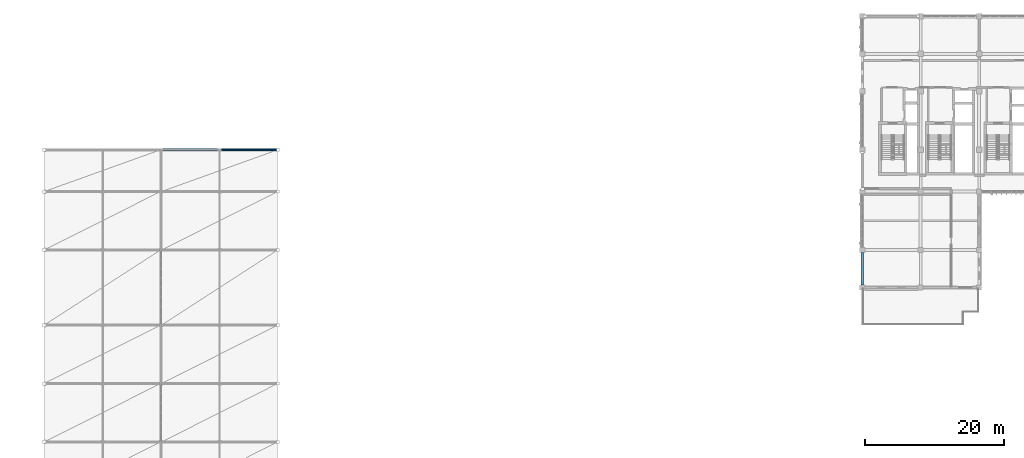
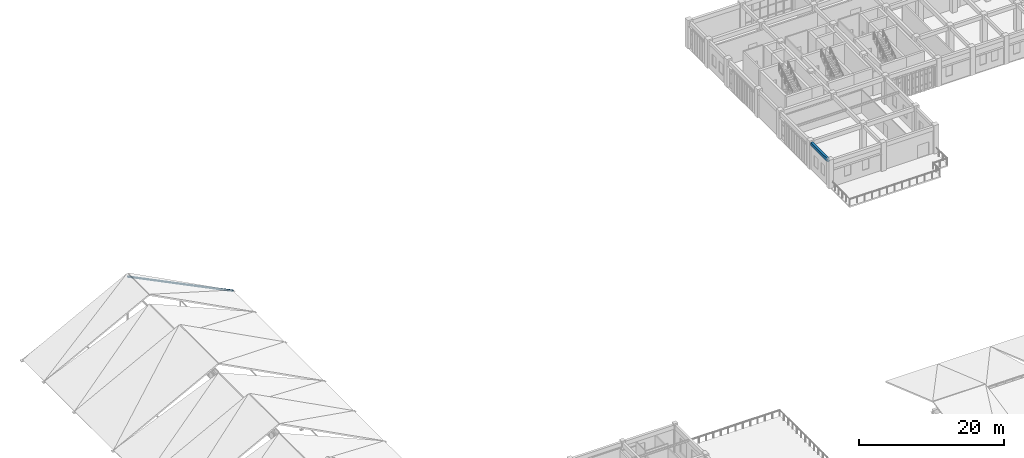
# One storey, part 39 of 76: 1 beam, 1 member.
"""IFC4 building model written with IfcOpenShell, lengths in metres."""

from ifc_helpers import new_model, si_unit, direction, frame, origin, origin_2d, place, context, subcontext, project, spatial, rectangle, hollow_circle, extrude, material, material_profile, profile_set, type_object, element, save


model = new_model("IFC4")

# Units and contexts
model_context = context("Model", 3, precision=1e-05, world=origin(), true_north=direction((0.0, 1.0)))
body_context = subcontext(model_context, "Body", "Model", "MODEL_VIEW")
ifc_project = project(units=[si_unit("LENGTHUNIT", "METRE"), si_unit("AREAUNIT", "SQUARE_METRE"), si_unit("VOLUMEUNIT", "CUBIC_METRE"), si_unit("PLANEANGLEUNIT", "RADIAN"), si_unit("MASSUNIT", "GRAM", prefix="KILO")], contexts=[model_context])

# Site, building, storey
site_placement = place(None, origin())
site = spatial("IfcSite", under=ifc_project, at=site_placement, CompositionType="ELEMENT")
building_placement = place(site_placement, origin())
building = spatial("IfcBuilding", under=site, at=building_placement, Name="Krzemoval Escarpment Law Courts", CompositionType="ELEMENT")
storey_placement = place(building_placement, frame((0.0, 0.0, 20.39990234375)))
storey = spatial("IfcBuildingStorey", under=building, at=storey_placement, Name="L04", CompositionType="ELEMENT", Elevation=20.39990234375)

# Beam
ifc_material_1 = material(Name="Concrete C40/50", Category="concrete")
ifc_material_profile_1 = material_profile(ifc_material_1, rectangle(XDim=0.35009765625, YDim=0.550048828125, at=origin_2d()), Name="RCB 350x550")
ifc_profile_set_1 = profile_set([ifc_material_profile_1], Name="Concrete C40/50")
beam_type = type_object("IfcBeamType", Name="BM-RC-350x550", PredefinedType="BEAM", material=ifc_profile_set_1)
beam_placement = place(storey_placement, frame((126.0, 80.175048828125, 4.275146484375), z_axis=(0.0, 1.0, 0.0), x_axis=(-1.0, 0.0, 0.0)))
element("IfcBeam", 1, at=beam_placement, inside=storey, type_object=beam_type, Name="Beam FG-L04-2506", PredefinedType="BEAM", context=body_context, shape_type="SweptSolid", body=[
    extrude(rectangle(XDim=0.35009765625, YDim=0.550048828125, at=origin_2d()), origin(), (0.0, 0.0, 1.0), 4.64990234375),
])

# Member
ifc_material_2 = material(Name="Steel S355", Category="steel")
ifc_material_profile_2 = material_profile(ifc_material_2, hollow_circle(Radius=0.161865234375, WallThickness=0.01611328125, at=origin_2d()), Name="CHS 323.9x16")
ifc_profile_set_2 = profile_set([ifc_material_profile_2], Name="Steel S355")
member_type = type_object("IfcMemberType", Name="MBR-CHD-CHS324", PredefinedType="CHORD", material=ifc_profile_set_2)
member_placement = place(storey_placement, frame((25.199951171875, 99.60009765625, 8.150146484375), z_axis=(0.896551125038, 0.0, -0.442940267071), x_axis=(0.0, 1.0, 0.0)))
element("IfcMember", 2, at=member_placement, inside=storey, type_object=member_type, Name="Roof Rafter Chord TC-0053", PredefinedType="CHORD", context=body_context, shape_type="SweptSolid", body=[
    extrude(hollow_circle(Radius=0.161865234375, WallThickness=0.01611328125, at=origin_2d()), origin(), (0.0, 0.0, 1.0), 18.738525390625),
])

save(model, "model.ifc")
